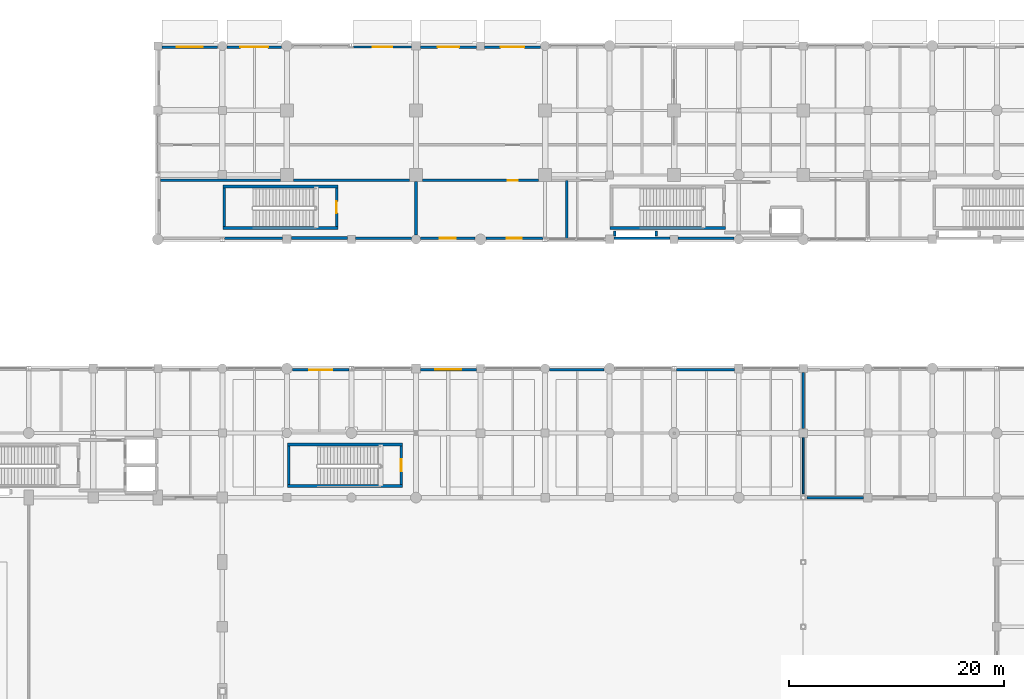
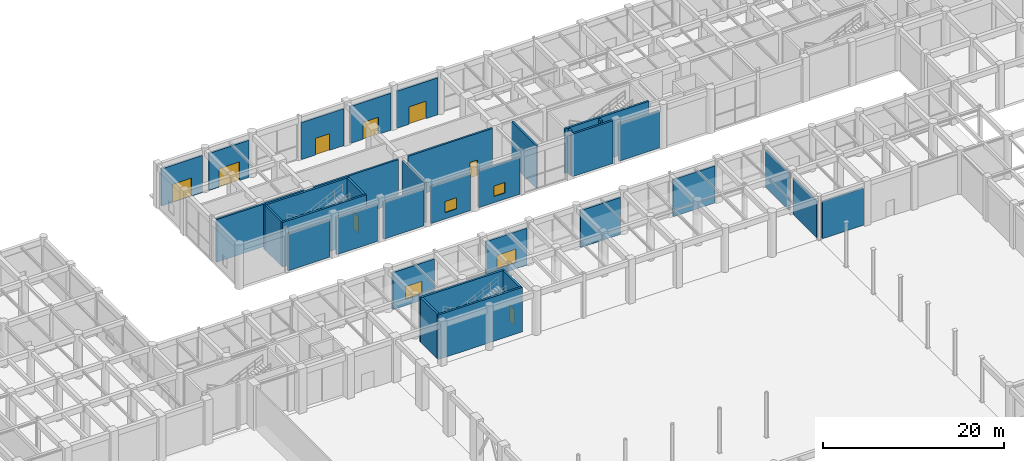
# One storey, part 83 of 106: 35 walls, 8 doors, 4 windows, 12 openings.
"""IFC4 building model written with IfcOpenShell, lengths in metres."""

import ifcopenshell
import ifcopenshell.guid

model = None  # the IFC model being written
_history = None  # IfcOwnerHistory: only IFC2X3 demands one
_inside = {}  # id of a spatial element -> (the spatial element, [elements in it])
_under = {}  # id of a project, library or spatial element -> (it, [spatial elements below it])
_declared = {}  # id of a project -> (the project, [libraries it declares])
_typed = {}  # id of a type object -> (the type object, [elements of that type])
_made_of = {}  # id of a material, layer set ... -> (it, [elements and type objects made of it])


def new_model(schema):
    """Start an empty IFC model of exactly this schema.

    Asked for "IFC4X3", IfcOpenShell would pick the latest addendum, in which some entities
    have other attributes; the version numbers below select the first issue.
    IFC2X3 requires an IfcOwnerHistory on every rooted entity: one is made here for all.
    """
    global model, _history
    if schema == "IFC4X3":
        model = ifcopenshell.file(schema_version=(4, 3, 0, 0))
    else:
        model = ifcopenshell.file(schema=schema)
    _inside.clear()
    _under.clear()
    _declared.clear()
    _typed.clear()
    _made_of.clear()
    _history = None
    if model.schema == "IFC2X3":
        org = make("IfcOrganization", Name="unknown")
        user = make(
            "IfcPersonAndOrganization",
            ThePerson=make("IfcPerson", FamilyName="unknown"),
            TheOrganization=org,
        )
        app = make(
            "IfcApplication",
            ApplicationDeveloper=org,
            Version="unknown",
            ApplicationFullName="unknown",
            ApplicationIdentifier="unknown",
        )
        _history = make(
            "IfcOwnerHistory",
            OwningUser=user,
            OwningApplication=app,
            ChangeAction="ADDED",
            CreationDate=0,
        )
    return model


def make(cls, **values):
    """One entity of the class cls with the attributes given. An attribute that is None is left unset."""
    return model.create_entity(
        cls, **{name: value for name, value in values.items() if value is not None}
    )


def rooted(cls, **values):
    """An entity with a GlobalId (a new one), such as an element, a storey or a relation."""
    return make(cls, GlobalId=ifcopenshell.guid.new(), OwnerHistory=_history, **values)


def si_unit(unit_type, name, prefix=None):
    """IfcSIUnit, for example si_unit("LENGTHUNIT", "METRE", prefix="MILLI")."""
    return make("IfcSIUnit", UnitType=unit_type, Prefix=prefix, Name=name)


def assignment(units):
    """IfcUnitAssignment: the units of a project."""
    return None if units is None else make("IfcUnitAssignment", Units=units)


def point(xyz):
    """IfcCartesianPoint."""
    return None if xyz is None else make("IfcCartesianPoint", Coordinates=xyz)


def direction(xyz):
    """IfcDirection."""
    return None if xyz is None else make("IfcDirection", DirectionRatios=xyz)


def frame(location, z_axis=None, x_axis=None):
    """IfcAxis2Placement3D, a coordinate frame: its origin and axes. An axis left out is left unset."""
    return make(
        "IfcAxis2Placement3D",
        Location=point(location),
        Axis=direction(z_axis),
        RefDirection=direction(x_axis),
    )


def frame_2d(location, x_axis=None):
    """IfcAxis2Placement2D, a coordinate frame in the plane: its origin and x axis."""
    return make(
        "IfcAxis2Placement2D", Location=point(location), RefDirection=direction(x_axis)
    )


def origin():
    """The frame at (0, 0, 0) with its axes left unset."""
    return frame((0.0, 0.0, 0.0))


def place(relative_to, where):
    """IfcLocalPlacement: puts the frame where relative to a parent placement (None: the world)."""
    return make(
        "IfcLocalPlacement", PlacementRelTo=relative_to, RelativePlacement=where
    )


def context(
    kind, dimensions, precision=None, world=None, true_north=None, identifier=None
):
    """IfcGeometricRepresentationContext, for example the 3D "Model" context."""
    return make(
        "IfcGeometricRepresentationContext",
        ContextIdentifier=identifier,
        ContextType=kind,
        CoordinateSpaceDimension=dimensions,
        Precision=precision,
        WorldCoordinateSystem=world,
        TrueNorth=true_north,
    )


def subcontext(parent, identifier, kind, view, scale=None):
    """IfcGeometricRepresentationSubContext, for example "Body" below "Model"."""
    return make(
        "IfcGeometricRepresentationSubContext",
        ContextIdentifier=identifier,
        ContextType=kind,
        ParentContext=parent,
        TargetScale=scale,
        TargetView=view,
    )


def project(units=None, contexts=None):
    """IfcProject with its units and contexts."""
    return rooted(
        "IfcProject",
        Name="project",
        RepresentationContexts=contexts,
        UnitsInContext=assignment(units),
    )


def spatial(cls, under=None, at=None, **own):
    """A site, building, storey or space (cls), placed at a placement, below another one or the project."""
    s = rooted(cls, ObjectPlacement=at, **own)
    if under is not None:
        _under.setdefault(under.id(), (under, []))[1].append(s)
    return s


def profile(cls, at=None, kind="AREA", **sizes):
    """A parametric profile (cls). Its sizes go by their IFC names, for example OverallWidth=200.0."""
    return make(cls, ProfileType=kind, Position=at, **sizes)


def rectangle(**sizes):
    """IfcRectangleProfileDef."""
    return profile("IfcRectangleProfileDef", **sizes)


def extrude(swept, where, along, depth):
    """IfcExtrudedAreaSolid: the profile swept, set in the frame where, extruded along a direction by depth."""
    return make(
        "IfcExtrudedAreaSolid",
        SweptArea=swept,
        Position=where,
        ExtrudedDirection=direction(along),
        Depth=depth,
    )


def shape(context_of_items, identifier, shape_type, items):
    """IfcShapeRepresentation: the items that make up one representation, for example the "Body"."""
    return make(
        "IfcShapeRepresentation",
        ContextOfItems=context_of_items,
        RepresentationIdentifier=identifier,
        RepresentationType=shape_type,
        Items=items,
    )


def material(Name=None, Category=None):
    """IfcMaterial."""
    return make("IfcMaterial", Name=Name, Category=Category)


def layer(
    of_material, thickness, ventilated=None, Name=None, Category=None, Priority=None
):
    """IfcMaterialLayer: one layer of a wall or slab, of a material (None: an air gap)."""
    return make(
        "IfcMaterialLayer",
        Material=of_material,
        LayerThickness=thickness,
        IsVentilated=ventilated,
        Name=Name,
        Category=Category,
        Priority=Priority,
    )


def layer_set(layers, Name=None):
    """IfcMaterialLayerSet."""
    return make("IfcMaterialLayerSet", MaterialLayers=layers, LayerSetName=Name)


def made_of(thing, what):
    """Note that an element or type object is made of a material, layer set ...; save() writes the relation."""
    if what is not None:
        _made_of.setdefault(what.id(), (what, []))[1].append(thing)
    return thing


def type_object(cls, material=None, **own):
    """A type object (cls), such as IfcWallType, which elements share."""
    return made_of(rooted(cls, **own), material)


def element(
    cls,
    number,
    at=None,
    inside=None,
    cuts=None,
    type_object=None,
    material=None,
    context=None,
    identifier="Body",
    shape_type=None,
    held_by="IfcProductDefinitionShape",
    body=None,
    shapes=None,
    **own,
):
    """One element of the class cls, such as IfcWall. Its Tag is "e" and its number.

    at: its placement. inside: the storey or other place that contains it. cuts: it is an
    opening in that element (IfcRelVoidsElement). A single representation is given by context,
    identifier, shape_type and body (its items); several are given by shapes. held_by: the class
    of the entity that holds the representations. save() writes the other relations.
    """
    e = rooted(cls, Tag="e%d" % number, ObjectPlacement=at, **own)
    if body is not None:
        shapes = [shape(context, identifier, shape_type, body)]
    if shapes is not None:
        e.Representation = make(held_by, Representations=shapes)
    if inside is not None:
        _inside.setdefault(inside.id(), (inside, []))[1].append(e)
    if cuts is not None:
        rooted(
            "IfcRelVoidsElement", RelatingBuildingElement=cuts, RelatedOpeningElement=e
        )
    if type_object is not None:
        _typed.setdefault(type_object.id(), (type_object, []))[1].append(e)
    return made_of(e, material)


def fill(opening, filler):
    """IfcRelFillsElement: the door or window that sits in an opening."""
    return rooted(
        "IfcRelFillsElement",
        RelatingOpeningElement=opening,
        RelatedBuildingElement=filler,
    )


def aggregate(whole, parts):
    """IfcRelAggregates: a whole, such as a stair, and the parts it consists of."""
    return rooted("IfcRelAggregates", RelatingObject=whole, RelatedObjects=parts)


def save(model, path):
    """Write the relations noted so far, then the file.

    IfcRelAggregates (storeys below a building ...), IfcRelContainedInSpatialStructure (elements
    in a storey), IfcRelDefinesByType, IfcRelAssociatesMaterial and IfcRelDeclares: one each for
    every whole, place, type object, material and project.
    """
    for whole, parts in _under.values():
        aggregate(whole, parts)
    for where, things in _inside.values():
        rooted(
            "IfcRelContainedInSpatialStructure",
            RelatedElements=things,
            RelatingStructure=where,
        )
    for kind, things in _typed.values():
        rooted("IfcRelDefinesByType", RelatedObjects=things, RelatingType=kind)
    for what, things in _made_of.values():
        rooted("IfcRelAssociatesMaterial", RelatedObjects=things, RelatingMaterial=what)
    for by, libraries in _declared.values():
        rooted("IfcRelDeclares", RelatingContext=by, RelatedDefinitions=libraries)
    model.write(path)


model = new_model("IFC4")

# Units and contexts
model_context = context("Model", 3, precision=1e-05, world=origin(), true_north=direction((0.0, 1.0)))
body_context = subcontext(model_context, "Body", "Model", "MODEL_VIEW")
ifc_project = project(units=[si_unit("LENGTHUNIT", "METRE"), si_unit("AREAUNIT", "SQUARE_METRE"), si_unit("VOLUMEUNIT", "CUBIC_METRE"), si_unit("PLANEANGLEUNIT", "RADIAN"), si_unit("MASSUNIT", "GRAM", prefix="KILO"), si_unit("THERMODYNAMICTEMPERATUREUNIT", "KELVIN"), si_unit("POWERUNIT", "WATT")], contexts=[model_context])

# Site, building, storey
site_placement = place(None, origin())
site = spatial("IfcSite", under=ifc_project, at=site_placement, CompositionType="ELEMENT")
building_placement = place(site_placement, origin())
building = spatial("IfcBuilding", under=site, at=building_placement, Name="Phaisarnlok Congress Hotel", CompositionType="ELEMENT")
storey_placement = place(building_placement, origin())
storey = spatial("IfcBuildingStorey", under=building, at=storey_placement, Name="L00", CompositionType="ELEMENT", Elevation=0.0)

# Wall, opening, door
ifc_material_1 = material(Name="Concrete C40/50", Category="concrete")
ifc_layer_1 = layer(ifc_material_1, 0.2099609375, Name="Concrete C40/50")
ifc_layer_set_1 = layer_set([ifc_layer_1], Name="Concrete C40/50")
wall_type_1 = type_object("IfcWallType", Name="WL-EXT-210", PredefinedType="SOLIDWALL", material=ifc_layer_set_1)
wall_1_placement = place(storey_placement, frame((83.594970703125, 125.89501953125, 0.0), z_axis=(0.0, 0.0, 1.0), x_axis=(-1.0, 0.0, 0.0)))
wall_1 = element("IfcWall", 1, at=wall_1_placement, inside=storey, type_object=wall_type_1, Name="Exterior wall EW-07 (L00)", PredefinedType="SOLIDWALL", context=body_context, shape_type="SweptSolid", body=[
    extrude(rectangle(XDim=5.389404296875, YDim=0.2099609375, at=frame_2d((2.69482421875, 0.0))), origin(), (0.0, 0.0, 1.0), 4.989990234375),
])
opening_1_placement = place(wall_1_placement, frame((1.794921875, 0.0, 0.0)))
opening_1 = element("IfcOpeningElement", 2, at=opening_1_placement, cuts=wall_1, Name="Opening FE-42", PredefinedType="OPENING", context=body_context, shape_type="SweptSolid", body=[
    extrude(rectangle(XDim=1.800048828125, YDim=2.25, at=frame_2d((0.89990234375, 1.125))), frame((0.0, 0.114990234375, 0.0), z_axis=(0.0, -1.0, 0.0), x_axis=(1.0, 0.0, 0.0)), (0.0, 0.0, 1.0), 0.22998046875),
])
ifc_material_2 = material(Name="Powder-Coated Steel & Laminated Safety Glass", Category="steel")
door_type_1 = type_object("IfcDoorType", Name="DR-EXIT-1800", OperationType="DOUBLE_DOOR_SINGLE_SWING", PredefinedType="DOOR", material=ifc_material_2)
door_1_placement = place(opening_1_placement, frame((1.800048828125, 0.0, 0.0), z_axis=(0.0, 0.0, 1.0), x_axis=(-1.0, 0.0, 0.0)))
door_1 = element("IfcDoor", 3, at=door_1_placement, inside=storey, type_object=door_type_1, Name="Ground final exit door FE-42", OperationType="SINGLE_SWING_LEFT", OverallHeight=2.25, OverallWidth=1.800048828125, PredefinedType="DOOR", context=body_context, shape_type="SweptSolid", body=[
    extrude(rectangle(XDim=1.800048828125, YDim=2.25, at=frame_2d((0.89990234375, 1.125))), frame((0.0, 0.02490234375, 0.0), z_axis=(0.0, -1.0, 0.0), x_axis=(1.0, 0.0, 0.0)), (0.0, 0.0, 1.0), 0.050048828125),
])
fill(opening_1, door_1)

# Wall
wall_2_placement = place(storey_placement, frame((66.20556640625, 108.10498046875, 0.0), z_axis=(0.0, 0.0, 1.0), x_axis=(1.0, 0.0, 0.0)))
element("IfcWall", 4, at=wall_2_placement, inside=storey, type_object=wall_type_1, Name="Exterior wall EW-07 (L00)", PredefinedType="SOLIDWALL", context=body_context, shape_type="SweptSolid", body=[
    extrude(rectangle(XDim=5.389404296875, YDim=0.2099609375, at=frame_2d((2.69482421875, 0.0))), origin(), (0.0, 0.0, 1.0), 4.989990234375),
])

# Wall, opening, window
wall_3_placement = place(storey_placement, frame((90.5048828125, 108.10498046875, 0.0), z_axis=(0.0, 0.0, 1.0), x_axis=(1.0, 0.0, 0.0)))
wall_3 = element("IfcWall", 5, at=wall_3_placement, inside=storey, type_object=wall_type_1, Name="Exterior wall EW-07 (L00)", PredefinedType="SOLIDWALL", context=body_context, shape_type="SweptSolid", body=[
    extrude(rectangle(XDim=5.28955078125, YDim=0.2099609375, at=frame_2d((2.644775390625, 0.0))), origin(), (0.0, 0.0, 1.0), 4.989990234375),
])
opening_2_placement = place(wall_3_placement, frame((1.945068359375, 0.0, 0.85009765625)))
opening_2 = element("IfcOpeningElement", 6, at=opening_2_placement, cuts=wall_3, Name="Opening W-13", PredefinedType="OPENING", context=body_context, shape_type="SweptSolid", body=[
    extrude(rectangle(XDim=1.39990234375, YDim=1.39990234375, at=frame_2d((0.699951171875, 0.699951171875))), frame((0.0, 0.114990234375, 0.0), z_axis=(0.0, -1.0, 0.0), x_axis=(1.0, 0.0, 0.0)), (0.0, 0.0, 1.0), 0.22998046875),
])
ifc_material_3 = material(Name="Thermally Broken Aluminium & Low-E Double Glazing", Category="aluminium")
window_type_1 = type_object("IfcWindowType", Name="WIN-POD-1400", PartitioningType="SINGLE_PANEL", PredefinedType="WINDOW", material=ifc_material_3)
window_1_placement = place(opening_2_placement, origin())
window_1 = element("IfcWindow", 7, at=window_1_placement, inside=storey, type_object=window_type_1, Name="Podium window W-13 (L00)", OverallHeight=1.39990234375, OverallWidth=1.39990234375, PartitioningType="SINGLE_PANEL", PredefinedType="WINDOW", context=body_context, shape_type="SweptSolid", body=[
    extrude(rectangle(XDim=1.39990234375, YDim=1.39990234375, at=frame_2d((0.699951171875, 0.699951171875))), frame((0.0, 0.030029296875, 0.0), z_axis=(0.0, -1.0, 0.0), x_axis=(1.0, 0.0, 0.0)), (0.0, 0.0, 1.0), 0.06005859375),
])
fill(opening_2, window_1)

# Wall
wall_4_placement = place(storey_placement, frame((113.594970703125, 95.89501953125, 0.0), z_axis=(0.0, 0.0, 1.0), x_axis=(-1.0, 0.0, 0.0)))
element("IfcWall", 8, at=wall_4_placement, inside=storey, type_object=wall_type_1, Name="Exterior wall EW-07 (L00)", PredefinedType="SOLIDWALL", context=body_context, shape_type="SweptSolid", body=[
    extrude(rectangle(XDim=5.389404296875, YDim=0.2099609375, at=frame_2d((2.69482421875, 0.0))), origin(), (0.0, 0.0, 1.0), 4.989990234375),
])

# Wall, opening, window
wall_5_placement = place(storey_placement, frame((89.6201171875, 95.89501953125, 0.0), z_axis=(0.0, 0.0, 1.0), x_axis=(-1.0, 0.0, 0.0)))
wall_5 = element("IfcWall", 9, at=wall_5_placement, inside=storey, type_object=wall_type_1, Name="Exterior wall EW-07 (L00)", PredefinedType="SOLIDWALL", context=body_context, shape_type="SweptSolid", body=[
    extrude(rectangle(XDim=5.215087890625, YDim=0.2099609375, at=frame_2d((2.607421875, 0.0))), origin(), (0.0, 0.0, 1.0), 4.989990234375),
])
opening_3_placement = place(wall_5_placement, frame((1.407958984375, 0.0, 0.85009765625)))
opening_3 = element("IfcOpeningElement", 10, at=opening_3_placement, cuts=wall_5, Name="Opening W-08", PredefinedType="OPENING", context=body_context, shape_type="SweptSolid", body=[
    extrude(rectangle(XDim=2.39990234375, YDim=1.800048828125, at=frame_2d((1.199951171875, 0.89990234375))), frame((0.0, 0.114990234375, 0.0), z_axis=(0.0, -1.0, 0.0), x_axis=(1.0, 0.0, 0.0)), (0.0, 0.0, 1.0), 0.22998046875),
])
window_type_2 = type_object("IfcWindowType", Name="WIN-POD-2400", PartitioningType="SINGLE_PANEL", PredefinedType="WINDOW", material=ifc_material_3)
window_2_placement = place(opening_3_placement, origin())
window_2 = element("IfcWindow", 11, at=window_2_placement, inside=storey, type_object=window_type_2, Name="Podium window W-08 (L00)", OverallHeight=1.800048828125, OverallWidth=2.39990234375, PartitioningType="SINGLE_PANEL", PredefinedType="WINDOW", context=body_context, shape_type="SweptSolid", body=[
    extrude(rectangle(XDim=2.39990234375, YDim=1.800048828125, at=frame_2d((1.199951171875, 0.89990234375))), frame((0.0, 0.030029296875, 0.0), z_axis=(0.0, -1.0, 0.0), x_axis=(1.0, 0.0, 0.0)), (0.0, 0.0, 1.0), 0.06005859375),
])
fill(opening_3, window_2)

# Wall, opening, door
ifc_layer_2 = layer(ifc_material_1, 0.22998046875, Name="Concrete C40/50")
ifc_layer_set_2 = layer_set([ifc_layer_2], Name="Concrete C40/50")
wall_type_2 = type_object("IfcWallType", Name="WL-EXT-230", PredefinedType="SOLIDWALL", material=ifc_layer_set_2)
wall_6_placement = place(storey_placement, frame((89.6201171875, 125.885009765625, 0.0), z_axis=(0.0, 0.0, 1.0), x_axis=(-1.0, 0.0, 0.0)))
wall_6 = element("IfcWall", 12, at=wall_6_placement, inside=storey, type_object=wall_type_2, Name="Exterior wall EW-06 (L00)", PredefinedType="SOLIDWALL", context=body_context, shape_type="SweptSolid", body=[
    extrude(rectangle(XDim=5.215087890625, YDim=0.22998046875, at=frame_2d((2.607421875, 0.0))), origin(), (0.0, 0.0, 1.0), 4.989990234375),
])
opening_4_placement = place(wall_6_placement, frame((1.60791015625, 0.0, 0.0)))
opening_4 = element("IfcOpeningElement", 13, at=opening_4_placement, cuts=wall_6, Name="Opening FE-41", PredefinedType="OPENING", context=body_context, shape_type="SweptSolid", body=[
    extrude(rectangle(XDim=2.0, YDim=2.300048828125, at=frame_2d((1.0, 1.14990234375))), frame((0.0, 0.125, 0.0), z_axis=(0.0, -1.0, 0.0), x_axis=(1.0, 0.0, 0.0)), (0.0, 0.0, 1.0), 0.25),
])
door_type_2 = type_object("IfcDoorType", Name="DR-EXIT-2000", OperationType="DOUBLE_DOOR_SINGLE_SWING", PredefinedType="DOOR", material=ifc_material_2)
door_2_placement = place(opening_4_placement, frame((2.0, 0.0, 0.0), z_axis=(0.0, 0.0, 1.0), x_axis=(-1.0, 0.0, 0.0)))
door_2 = element("IfcDoor", 14, at=door_2_placement, inside=storey, type_object=door_type_2, Name="Ground final exit door FE-41", OperationType="SINGLE_SWING_LEFT", OverallHeight=2.300048828125, OverallWidth=2.0, PredefinedType="DOOR", context=body_context, shape_type="SweptSolid", body=[
    extrude(rectangle(XDim=2.0, YDim=2.300048828125, at=frame_2d((1.0, 1.14990234375))), frame((0.0, 0.02490234375, 0.0), z_axis=(0.0, -1.0, 0.0), x_axis=(1.0, 0.0, 0.0)), (0.0, 0.0, 1.0), 0.050048828125),
])
fill(opening_4, door_2)

wall_7_placement = place(storey_placement, frame((65.570068359375, 125.885009765625, 0.0), z_axis=(0.0, 0.0, 1.0), x_axis=(-1.0, 0.0, 0.0)))
wall_7 = element("IfcWall", 15, at=wall_7_placement, inside=storey, type_object=wall_type_2, Name="Exterior wall EW-06 (L00)", PredefinedType="SOLIDWALL", context=body_context, shape_type="SweptSolid", body=[
    extrude(rectangle(XDim=5.190185546875, YDim=0.22998046875, at=frame_2d((2.59521484375, 0.0))), origin(), (0.0, 0.0, 1.0), 5.010009765625),
])
opening_5_placement = place(wall_7_placement, frame((1.39501953125, 0.0, 0.0)))
opening_5 = element("IfcOpeningElement", 16, at=opening_5_placement, cuts=wall_7, Name="Opening FE-44", PredefinedType="OPENING", context=body_context, shape_type="SweptSolid", body=[
    extrude(rectangle(XDim=2.39990234375, YDim=2.449951171875, at=frame_2d((1.199951171875, 1.22509765625))), frame((0.0, 0.125, 0.0), z_axis=(0.0, -1.0, 0.0), x_axis=(1.0, 0.0, 0.0)), (0.0, 0.0, 1.0), 0.25),
])
door_type_3 = type_object("IfcDoorType", Name="DR-ENTR-2400", OperationType="DOUBLE_DOOR_SLIDING", PredefinedType="DOOR", material=ifc_material_2)
door_3_placement = place(opening_5_placement, frame((2.39990234375, 0.0, 0.0), z_axis=(0.0, 0.0, 1.0), x_axis=(-1.0, 0.0, 0.0)))
door_3 = element("IfcDoor", 17, at=door_3_placement, inside=storey, type_object=door_type_3, Name="Ground final exit door FE-44", OperationType="SINGLE_SWING_LEFT", OverallHeight=2.449951171875, OverallWidth=2.39990234375, PredefinedType="DOOR", context=body_context, shape_type="SweptSolid", body=[
    extrude(rectangle(XDim=2.39990234375, YDim=2.449951171875, at=frame_2d((1.199951171875, 1.22509765625))), frame((0.0, 0.02490234375, 0.0), z_axis=(0.0, -1.0, 0.0), x_axis=(1.0, 0.0, 0.0)), (0.0, 0.0, 1.0), 0.050048828125),
])
fill(opening_5, door_3)

# Wall, opening, window
wall_8_placement = place(storey_placement, frame((84.429931640625, 108.114990234375, 0.0), z_axis=(0.0, 0.0, 1.0), x_axis=(1.0, 0.0, 0.0)))
wall_8 = element("IfcWall", 18, at=wall_8_placement, inside=storey, type_object=wall_type_2, Name="Exterior wall EW-06 (L00)", PredefinedType="SOLIDWALL", context=body_context, shape_type="SweptSolid", body=[
    extrude(rectangle(XDim=5.065185546875, YDim=0.22998046875, at=frame_2d((2.53271484375, 0.0))), origin(), (0.0, 0.0, 1.0), 4.989990234375),
])
opening_6_placement = place(wall_8_placement, frame((1.781982421875, 0.0, 0.85009765625)))
opening_6 = element("IfcOpeningElement", 19, at=opening_6_placement, cuts=wall_8, Name="Opening W-12", PredefinedType="OPENING", context=body_context, shape_type="SweptSolid", body=[
    extrude(rectangle(XDim=1.5, YDim=1.5, at=frame_2d((0.75, 0.75))), frame((0.0, 0.125, 0.0), z_axis=(0.0, -1.0, 0.0), x_axis=(1.0, 0.0, 0.0)), (0.0, 0.0, 1.0), 0.25),
])
window_type_3 = type_object("IfcWindowType", Name="WIN-POD-1500", PartitioningType="SINGLE_PANEL", PredefinedType="WINDOW", material=ifc_material_3)
window_3_placement = place(opening_6_placement, origin())
window_3 = element("IfcWindow", 20, at=window_3_placement, inside=storey, type_object=window_type_3, Name="Podium window W-12 (L00)", OverallHeight=1.5, OverallWidth=1.5, PartitioningType="SINGLE_PANEL", PredefinedType="WINDOW", context=body_context, shape_type="SweptSolid", body=[
    extrude(rectangle(XDim=1.5, YDim=1.5, at=frame_2d((0.75, 0.75))), frame((0.0, 0.030029296875, 0.0), z_axis=(0.0, -1.0, 0.0), x_axis=(1.0, 0.0, 0.0)), (0.0, 0.0, 1.0), 0.06005859375),
])
fill(opening_6, window_3)

# Wall
wall_9_placement = place(storey_placement, frame((108.3798828125, 108.114990234375, 0.0), z_axis=(0.0, 0.0, 1.0), x_axis=(1.0, 0.0, 0.0)))
element("IfcWall", 21, at=wall_9_placement, inside=storey, type_object=wall_type_2, Name="Exterior wall EW-06 (L00)", PredefinedType="SOLIDWALL", context=body_context, shape_type="SweptSolid", body=[
    extrude(rectangle(XDim=5.190185546875, YDim=0.22998046875, at=frame_2d((2.59521484375, 0.0))), origin(), (0.0, 0.0, 1.0), 4.989990234375),
])

# Wall, opening, door
ifc_layer_3 = layer(ifc_material_1, 0.25, Name="Concrete C40/50")
ifc_layer_set_3 = layer_set([ifc_layer_3], Name="Concrete C40/50")
wall_type_3 = type_object("IfcWallType", Name="WL-EXT-250", PredefinedType="SOLIDWALL", material=ifc_layer_set_3)
wall_10_placement = place(storey_placement, frame((95.570068359375, 125.875, 0.0), z_axis=(0.0, 0.0, 1.0), x_axis=(-1.0, 0.0, 0.0)))
wall_10 = element("IfcWall", 22, at=wall_10_placement, inside=storey, type_object=wall_type_3, Name="Exterior wall EW-05 (L00)", PredefinedType="SOLIDWALL", context=body_context, shape_type="SweptSolid", body=[
    extrude(rectangle(XDim=5.190185546875, YDim=0.25, at=frame_2d((2.59521484375, 0.0))), origin(), (0.0, 0.0, 1.0), 4.989990234375),
])
opening_7_placement = place(wall_10_placement, frame((1.4951171875, 0.0, 0.0)))
opening_7 = element("IfcOpeningElement", 23, at=opening_7_placement, cuts=wall_10, Name="Opening FE-40", PredefinedType="OPENING", context=body_context, shape_type="SweptSolid", body=[
    extrude(rectangle(XDim=2.199951171875, YDim=2.35009765625, at=frame_2d((1.10009765625, 1.175048828125))), frame((0.0, 0.135009765625, 0.0), z_axis=(0.0, -1.0, 0.0), x_axis=(1.0, 0.0, 0.0)), (0.0, 0.0, 1.0), 0.27001953125),
])
door_type_4 = type_object("IfcDoorType", Name="DR-EXIT-2200", OperationType="DOUBLE_DOOR_SINGLE_SWING", PredefinedType="DOOR", material=ifc_material_2)
door_4_placement = place(opening_7_placement, frame((2.199951171875, 0.0, 0.0), z_axis=(0.0, 0.0, 1.0), x_axis=(-1.0, 0.0, 0.0)))
door_4 = element("IfcDoor", 24, at=door_4_placement, inside=storey, type_object=door_type_4, Name="Ground final exit door FE-40", OperationType="SINGLE_SWING_LEFT", OverallHeight=2.35009765625, OverallWidth=2.199951171875, PredefinedType="DOOR", context=body_context, shape_type="SweptSolid", body=[
    extrude(rectangle(XDim=2.199951171875, YDim=2.35009765625, at=frame_2d((1.10009765625, 1.175048828125))), frame((0.0, 0.02490234375, 0.0), z_axis=(0.0, -1.0, 0.0), x_axis=(1.0, 0.0, 0.0)), (0.0, 0.0, 1.0), 0.050048828125),
])
fill(opening_7, door_4)

wall_11_placement = place(storey_placement, frame((71.4951171875, 125.875, 0.0), z_axis=(0.0, 0.0, 1.0), x_axis=(-1.0, 0.0, 0.0)))
wall_11 = element("IfcWall", 25, at=wall_11_placement, inside=storey, type_object=wall_type_3, Name="Exterior wall EW-05 (L00)", PredefinedType="SOLIDWALL", context=body_context, shape_type="SweptSolid", body=[
    extrude(rectangle(XDim=5.065185546875, YDim=0.25, at=frame_2d((2.53271484375, 0.0))), origin(), (0.0, 0.0, 1.0), 4.989990234375),
])
opening_8_placement = place(wall_11_placement, frame((1.23193359375, 0.0, 0.0)))
opening_8 = element("IfcOpeningElement", 26, at=opening_8_placement, cuts=wall_11, Name="Opening FE-43", PredefinedType="OPENING", context=body_context, shape_type="SweptSolid", body=[
    extrude(rectangle(XDim=2.60009765625, YDim=2.5, at=frame_2d((1.300048828125, 1.25))), frame((0.0, 0.135009765625, 0.0), z_axis=(0.0, -1.0, 0.0), x_axis=(1.0, 0.0, 0.0)), (0.0, 0.0, 1.0), 0.27001953125),
])
door_type_5 = type_object("IfcDoorType", Name="DR-ENTR-2600", OperationType="DOUBLE_DOOR_SLIDING", PredefinedType="DOOR", material=ifc_material_2)
door_5_placement = place(opening_8_placement, frame((2.60009765625, 0.0, 0.0), z_axis=(0.0, 0.0, 1.0), x_axis=(-1.0, 0.0, 0.0)))
door_5 = element("IfcDoor", 27, at=door_5_placement, inside=storey, type_object=door_type_5, Name="Ground final exit door FE-43", OperationType="SINGLE_SWING_LEFT", OverallHeight=2.5, OverallWidth=2.60009765625, PredefinedType="DOOR", context=body_context, shape_type="SweptSolid", body=[
    extrude(rectangle(XDim=2.60009765625, YDim=2.5, at=frame_2d((1.300048828125, 1.25))), frame((0.0, 0.02490234375, 0.0), z_axis=(0.0, -1.0, 0.0), x_axis=(1.0, 0.0, 0.0)), (0.0, 0.0, 1.0), 0.050048828125),
])
fill(opening_8, door_5)

# Walls
wall_12_placement = place(storey_placement, frame((78.3798828125, 108.125, 0.0), z_axis=(0.0, 0.0, 1.0), x_axis=(1.0, 0.0, 0.0)))
element("IfcWall", 28, at=wall_12_placement, inside=storey, type_object=wall_type_3, Name="Exterior wall EW-05 (L00)", PredefinedType="SOLIDWALL", context=body_context, shape_type="SweptSolid", body=[
    extrude(rectangle(XDim=5.190185546875, YDim=0.25, at=frame_2d((2.59521484375, 0.0))), origin(), (0.0, 0.0, 1.0), 4.989990234375),
])
wall_13_placement = place(storey_placement, frame((102.405029296875, 108.125, 0.0), z_axis=(0.0, 0.0, 1.0), x_axis=(1.0, 0.0, 0.0)))
element("IfcWall", 29, at=wall_13_placement, inside=storey, type_object=wall_type_3, Name="Exterior wall EW-05 (L00)", PredefinedType="SOLIDWALL", context=body_context, shape_type="SweptSolid", body=[
    extrude(rectangle(XDim=5.215087890625, YDim=0.25, at=frame_2d((2.607421875, 0.0))), origin(), (0.0, 0.0, 1.0), 5.739990234375),
])
wall_14_placement = place(storey_placement, frame((101.4951171875, 95.875, 0.0), z_axis=(0.0, 0.0, 1.0), x_axis=(-1.0, 0.0, 0.0)))
element("IfcWall", 30, at=wall_14_placement, inside=storey, type_object=wall_type_3, Name="Exterior wall EW-05 (L00)", PredefinedType="SOLIDWALL", context=body_context, shape_type="SweptSolid", body=[
    extrude(rectangle(XDim=5.065185546875, YDim=0.25, at=frame_2d((2.53271484375, 0.0))), origin(), (0.0, 0.0, 1.0), 4.989990234375),
])

# Wall, opening, window
wall_15_placement = place(storey_placement, frame((77.79443359375, 95.875, 0.0), z_axis=(0.0, 0.0, 1.0), x_axis=(-1.0, 0.0, 0.0)))
wall_15 = element("IfcWall", 31, at=wall_15_placement, inside=storey, type_object=wall_type_3, Name="Exterior wall EW-05 (L00)", PredefinedType="SOLIDWALL", context=body_context, shape_type="SweptSolid", body=[
    extrude(rectangle(XDim=5.28955078125, YDim=0.25, at=frame_2d((2.644775390625, 0.0))), origin(), (0.0, 0.0, 1.0), 4.989990234375),
])
opening_9_placement = place(wall_15_placement, frame((1.594970703125, 0.0, 0.85009765625)))
opening_9 = element("IfcOpeningElement", 32, at=opening_9_placement, cuts=wall_15, Name="Opening W-09", PredefinedType="OPENING", context=body_context, shape_type="SweptSolid", body=[
    extrude(rectangle(XDim=2.10009765625, YDim=1.699951171875, at=frame_2d((1.050048828125, 0.85009765625))), frame((0.0, 0.135009765625, 0.0), z_axis=(0.0, -1.0, 0.0), x_axis=(1.0, 0.0, 0.0)), (0.0, 0.0, 1.0), 0.27001953125),
])
window_type_4 = type_object("IfcWindowType", Name="WIN-POD-2100", PartitioningType="SINGLE_PANEL", PredefinedType="WINDOW", material=ifc_material_3)
window_4_placement = place(opening_9_placement, origin())
window_4 = element("IfcWindow", 33, at=window_4_placement, inside=storey, type_object=window_type_4, Name="Podium window W-09 (L00)", OverallHeight=1.699951171875, OverallWidth=2.10009765625, PartitioningType="SINGLE_PANEL", PredefinedType="WINDOW", context=body_context, shape_type="SweptSolid", body=[
    extrude(rectangle(XDim=2.10009765625, YDim=1.699951171875, at=frame_2d((1.050048828125, 0.85009765625))), frame((0.0, 0.030029296875, 0.0), z_axis=(0.0, -1.0, 0.0), x_axis=(1.0, 0.0, 0.0)), (0.0, 0.0, 1.0), 0.06005859375),
])
fill(opening_9, window_4)

# Walls
ifc_layer_4 = layer(ifc_material_1, 0.27001953125, Name="Concrete C40/50")
ifc_layer_set_4 = layer_set([ifc_layer_4], Name="Concrete C40/50")
wall_type_4 = type_object("IfcWallType", Name="WL-EXT-270", PredefinedType="SOLIDWALL", material=ifc_layer_set_4)
wall_16_placement = place(storey_placement, frame((72.405029296875, 108.135009765625, 0.0), z_axis=(0.0, 0.0, 1.0), x_axis=(1.0, 0.0, 0.0)))
element("IfcWall", 34, at=wall_16_placement, inside=storey, type_object=wall_type_4, Name="Exterior wall EW-04 (L00)", PredefinedType="SOLIDWALL", context=body_context, shape_type="SweptSolid", body=[
    extrude(rectangle(XDim=5.215087890625, YDim=0.27001953125, at=frame_2d((2.607421875, 0.0))), origin(), (0.0, 0.0, 1.0), 4.989990234375),
])
ifc_material_4 = material(Name="Acoustic Gypsum Board & Mineral Wool", Category="gypsum")
ifc_layer_5 = layer(ifc_material_4, 0.14990234375, Name="Acoustic Gypsum Board & Mineral Wool")
ifc_layer_set_5 = layer_set([ifc_layer_5], Name="Acoustic Gypsum Board & Mineral Wool")
wall_type_5 = type_object("IfcWallType", Name="WL-INT-150", PredefinedType="PARTITIONING", material=ifc_layer_set_5)
wall_17_placement = place(storey_placement, frame((120.0, 84.3701171875, 0.0), z_axis=(0.0, 0.0, 1.0), x_axis=(0.0, 1.0, 0.0)))
element("IfcWall", 35, at=wall_17_placement, inside=storey, type_object=wall_type_5, Name="Interior partition wall IW-05 (L00)", PredefinedType="PARTITIONING", context=body_context, shape_type="SweptSolid", body=[
    extrude(rectangle(XDim=5.224853515625, YDim=0.14990234375, at=frame_2d((2.6123046875, 0.0))), origin(), (0.0, 0.0, 1.0), 4.93994140625),
])
ifc_material_5 = material(Name="Autoclaved Aerated Concrete Block", Category="concrete")
ifc_layer_6 = layer(ifc_material_5, 0.199951171875, Name="Autoclaved Aerated Concrete Block")
ifc_layer_set_6 = layer_set([ifc_layer_6], Name="Autoclaved Aerated Concrete Block")
wall_type_6 = type_object("IfcWallType", Name="WL-INT-200", PredefinedType="PARTITIONING", material=ifc_layer_set_6)
wall_18_placement = place(storey_placement, frame((120.0, 90.405029296875, 0.0), z_axis=(0.0, 0.0, 1.0), x_axis=(0.0, 1.0, 0.0)))
element("IfcWall", 36, at=wall_18_placement, inside=storey, type_object=wall_type_6, Name="Interior partition wall IW-02 (L00)", PredefinedType="PARTITIONING", context=body_context, shape_type="SweptSolid", body=[
    extrude(rectangle(XDim=5.215087890625, YDim=0.199951171875, at=frame_2d((2.607421875, 0.0))), origin(), (0.0, 0.0, 1.0), 5.0400390625),
])
ifc_layer_7 = layer(ifc_material_1, 0.239990234375, Name="Concrete C40/50")
ifc_layer_set_7 = layer_set([ifc_layer_7], Name="Concrete C40/50")
wall_type_7 = type_object("IfcWallType", Name="WL-INT-240", PredefinedType="PARTITIONING", material=ifc_layer_set_7)
wall_19_placement = place(storey_placement, frame((84.0, 108.429931640625, 0.0), z_axis=(0.0, 0.0, 1.0), x_axis=(0.0, 1.0, 0.0)))
element("IfcWall", 37, at=wall_19_placement, inside=storey, type_object=wall_type_7, Name="Interior partition wall IW-01 (L00)", PredefinedType="PARTITIONING", context=body_context, shape_type="SweptSolid", body=[
    extrude(rectangle(XDim=4.965087890625, YDim=0.239990234375, at=frame_2d((2.482421875, 0.0))), origin(), (0.0, 0.0, 1.0), 5.39990234375),
])
wall_20_placement = place(storey_placement, frame((98.0, 108.044921875, 0.0), z_axis=(0.0, 0.0, 1.0), x_axis=(0.0, 1.0, 0.0)))
element("IfcWall", 38, at=wall_20_placement, inside=storey, type_object=wall_type_7, Name="Interior partition wall IW-01 (L00)", PredefinedType="PARTITIONING", context=body_context, shape_type="SweptSolid", body=[
    extrude(rectangle(XDim=5.455078125, YDim=0.239990234375, at=frame_2d((2.7275390625, 0.0))), origin(), (0.0, 0.0, 1.0), 5.739990234375),
])
wall_21_placement = place(storey_placement, frame((120.3701171875, 84.0, 0.0), z_axis=(0.0, 0.0, 1.0), x_axis=(1.0, 0.0, 0.0)))
element("IfcWall", 39, at=wall_21_placement, inside=storey, type_object=wall_type_7, Name="Interior partition wall IW-01 (L00)", PredefinedType="PARTITIONING", context=body_context, shape_type="SweptSolid", body=[
    extrude(rectangle(XDim=5.224853515625, YDim=0.239990234375, at=frame_2d((2.6123046875, 0.0))), origin(), (0.0, 0.0, 1.0), 4.989990234375),
])
wall_22_placement = place(storey_placement, frame((60.2548828125, 113.5, 0.0), z_axis=(0.0, 0.0, 1.0), x_axis=(1.0, 0.0, 0.0)))
element("IfcWall", 40, at=wall_22_placement, inside=storey, type_object=wall_type_7, Name="Interior partition wall IW-01 (L00)", PredefinedType="PARTITIONING", context=body_context, shape_type="SweptSolid", body=[
    extrude(rectangle(XDim=11.14013671875, YDim=0.239990234375, at=frame_2d((5.570068359375, 0.0))), origin(), (0.0, 0.0, 1.0), 5.739990234375),
])
wall_23_placement = place(storey_placement, frame((72.60498046875, 113.5, 0.0), z_axis=(0.0, 0.0, 1.0), x_axis=(1.0, 0.0, 0.0)))
element("IfcWall", 41, at=wall_23_placement, inside=storey, type_object=wall_type_7, Name="Interior partition wall IW-01 (L00)", PredefinedType="PARTITIONING", context=body_context, shape_type="SweptSolid", body=[
    extrude(rectangle(XDim=10.7900390625, YDim=0.239990234375, at=frame_2d((5.39501953125, 0.0))), origin(), (0.0, 0.0, 1.0), 5.739990234375),
])

# Wall, opening, door
wall_24_placement = place(storey_placement, frame((84.60498046875, 113.5, 0.0), z_axis=(0.0, 0.0, 1.0), x_axis=(1.0, 0.0, 0.0)))
wall_24 = element("IfcWall", 42, at=wall_24_placement, inside=storey, type_object=wall_type_7, Name="Interior partition wall IW-01 (L00)", PredefinedType="PARTITIONING", context=body_context, shape_type="SweptSolid", body=[
    extrude(rectangle(XDim=10.7900390625, YDim=0.239990234375, at=frame_2d((5.39501953125, 0.0))), origin(), (0.0, 0.0, 1.0), 5.739990234375),
])
opening_10_placement = place(wall_24_placement, frame((7.9150390625, 0.0, 0.0)))
opening_10 = element("IfcOpeningElement", 43, at=opening_10_placement, cuts=wall_24, Name="Opening D-0046", PredefinedType="OPENING", context=body_context, shape_type="SweptSolid", body=[
    extrude(rectangle(XDim=0.9599609375, YDim=2.14990234375, at=frame_2d((0.47998046875, 1.074951171875))), frame((0.0, 0.1298828125, 0.0), z_axis=(0.0, -1.0, 0.0), x_axis=(1.0, 0.0, 0.0)), (0.0, 0.0, 1.0), 0.260009765625),
])
ifc_material_6 = material(Name="Fire-Rated Steel Frame & Timber Leaf", Category="steel")
door_type_6 = type_object("IfcDoorType", Name="DR-FD60-950", OperationType="NOTDEFINED", PredefinedType="DOOR", material=ifc_material_6)
door_6_placement = place(opening_10_placement, origin())
door_6 = element("IfcDoor", 44, at=door_6_placement, inside=storey, type_object=door_type_6, Name="Interior door D-0046 (L00)", OperationType="SINGLE_SWING_RIGHT", OverallHeight=2.14990234375, OverallWidth=0.9599609375, PredefinedType="DOOR", context=body_context, shape_type="SweptSolid", body=[
    extrude(rectangle(XDim=0.9599609375, YDim=2.14990234375, at=frame_2d((0.47998046875, 1.074951171875))), frame((0.0, 0.02490234375, 0.0), z_axis=(0.0, -1.0, 0.0), x_axis=(1.0, 0.0, 0.0)), (0.0, 0.0, 1.0), 0.050048828125),
])
fill(opening_10, door_6)

# Walls
ifc_material_7 = material(Name="Concrete C50/60", Category="concrete")
ifc_layer_8 = layer(ifc_material_7, 0.260009765625, Name="Concrete C50/60")
ifc_layer_set_8 = layer_set([ifc_layer_8], Name="Concrete C50/60")
wall_type_8 = type_object("IfcWallType", Name="WL-SHR-260", PredefinedType="SHEAR", material=ifc_layer_set_8)
wall_25_placement = place(storey_placement, frame((102.0400390625, 109.070068359375, 0.0), z_axis=(0.0, 0.0, 1.0), x_axis=(1.0, 0.0, 0.0)))
element("IfcWall", 45, at=wall_25_placement, inside=storey, type_object=wall_type_8, Name="Stair shaft shear wall SW-04 (CORE-4 L00)", PredefinedType="SHEAR", context=body_context, shape_type="SweptSolid", body=[
    extrude(rectangle(XDim=10.719970703125, YDim=0.260009765625, at=frame_2d((5.35986328125, 0.0))), origin(), (0.0, 0.0, 1.0), 6.0),
])
for number, where, z_axis, x_axis, name in (
    (46, (102.469970703125, 108.330078125, 0.0), (0.0, 0.0, 1.0), (0.0, 1.0, 0.0), "Service riser shaft wall SW-04 (CORE-4 L00)"),
    (47, (106.330078125, 108.330078125, 0.0), (0.0, 0.0, 1.0), (0.0, 1.0, 0.0), "Service riser shaft wall SW-04 (CORE-4 L00)"),
):
    element("IfcWall", number, at=place(storey_placement, frame(where, z_axis=z_axis, x_axis=x_axis)), inside=storey, type_object=wall_type_8, Name=name, PredefinedType="SHEAR", context=body_context, shape_type="SweptSolid", body=[
        extrude(rectangle(XDim=0.43994140625, YDim=0.260009765625, at=frame_2d((0.219970703125, 0.0))), origin(), (0.0, 0.0, 1.0), 6.0),
    ])
for number, where, z_axis, x_axis, name in (
    (48, (66.0400390625, 109.070068359375, 0.0), (0.0, 0.0, 1.0), (1.0, 0.0, 0.0), "Stair shaft shear wall SW-04 (STAIR-HW L00)"),
    (49, (66.0400390625, 112.929931640625, 0.0), (0.0, 0.0, 1.0), (1.0, 0.0, 0.0), "Stair shaft shear wall SW-04 (STAIR-HW L00)"),
):
    element("IfcWall", number, at=place(storey_placement, frame(where, z_axis=z_axis, x_axis=x_axis)), inside=storey, type_object=wall_type_8, Name=name, PredefinedType="SHEAR", context=body_context, shape_type="SweptSolid", body=[
        extrude(rectangle(XDim=10.719970703125, YDim=0.260009765625, at=frame_2d((5.35986328125, 0.0))), origin(), (0.0, 0.0, 1.0), 6.0),
    ])
wall_26_placement = place(storey_placement, frame((66.169921875, 109.199951171875, 0.0), z_axis=(0.0, 0.0, 1.0), x_axis=(0.0, 1.0, 0.0)))
element("IfcWall", 50, at=wall_26_placement, inside=storey, type_object=wall_type_8, Name="Stair shaft shear wall SW-04 (STAIR-HW L00)", PredefinedType="SHEAR", context=body_context, shape_type="SweptSolid", body=[
    extrude(rectangle(XDim=3.60009765625, YDim=0.260009765625, at=frame_2d((1.800048828125, 0.0))), origin(), (0.0, 0.0, 1.0), 6.0),
])

# Wall, opening, door
wall_27_placement = place(storey_placement, frame((76.6298828125, 109.199951171875, 0.0), z_axis=(0.0, 0.0, 1.0), x_axis=(0.0, 1.0, 0.0)))
wall_27 = element("IfcWall", 51, at=wall_27_placement, inside=storey, type_object=wall_type_8, Name="Stair shaft shear wall SW-04 (STAIR-HW L00)", PredefinedType="SHEAR", context=body_context, shape_type="SweptSolid", body=[
    extrude(rectangle(XDim=3.60009765625, YDim=0.260009765625, at=frame_2d((1.800048828125, 0.0))), origin(), (0.0, 0.0, 1.0), 6.0),
])
opening_11_placement = place(wall_27_placement, frame((1.25, 0.0, 0.0)))
opening_11 = element("IfcOpeningElement", 52, at=opening_11_placement, cuts=wall_27, Name="Opening FD-146", PredefinedType="OPENING", context=body_context, shape_type="SweptSolid", body=[
    extrude(rectangle(XDim=1.10009765625, YDim=2.14990234375, at=frame_2d((0.550048828125, 1.074951171875))), frame((0.0, 0.14013671875, 0.0), z_axis=(0.0, -1.0, 0.0), x_axis=(1.0, 0.0, 0.0)), (0.0, 0.0, 1.0), 0.280029296875),
])
door_type_7 = type_object("IfcDoorType", Name="DR-FD60-1100", OperationType="NOTDEFINED", PredefinedType="DOOR", material=ifc_material_6)
door_7_placement = place(opening_11_placement, origin())
door_7 = element("IfcDoor", 53, at=door_7_placement, inside=storey, type_object=door_type_7, Name="Stair enclosure fire door FD-146 (L00)", OperationType="SINGLE_SWING_LEFT", OverallHeight=2.14990234375, OverallWidth=1.10009765625, PredefinedType="DOOR", context=body_context, shape_type="SweptSolid", body=[
    extrude(rectangle(XDim=1.10009765625, YDim=2.14990234375, at=frame_2d((0.550048828125, 1.074951171875))), frame((0.0, 0.02490234375, 0.0), z_axis=(0.0, -1.0, 0.0), x_axis=(1.0, 0.0, 0.0)), (0.0, 0.0, 1.0), 0.050048828125),
])
fill(opening_11, door_7)

# Walls
for number, where, z_axis, x_axis, name in (
    (54, (72.0400390625, 85.070068359375, 0.0), (0.0, 0.0, 1.0), (1.0, 0.0, 0.0), "Stair shaft shear wall SW-04 (STAIR-POD-C L00)"),
    (55, (72.0400390625, 88.929931640625, 0.0), (0.0, 0.0, 1.0), (1.0, 0.0, 0.0), "Stair shaft shear wall SW-04 (STAIR-POD-C L00)"),
):
    element("IfcWall", number, at=place(storey_placement, frame(where, z_axis=z_axis, x_axis=x_axis)), inside=storey, type_object=wall_type_8, Name=name, PredefinedType="SHEAR", context=body_context, shape_type="SweptSolid", body=[
        extrude(rectangle(XDim=10.719970703125, YDim=0.260009765625, at=frame_2d((5.35986328125, 0.0))), origin(), (0.0, 0.0, 1.0), 6.0),
    ])
wall_28_placement = place(storey_placement, frame((72.169921875, 85.199951171875, 0.0), z_axis=(0.0, 0.0, 1.0), x_axis=(0.0, 1.0, 0.0)))
element("IfcWall", 56, at=wall_28_placement, inside=storey, type_object=wall_type_8, Name="Stair shaft shear wall SW-04 (STAIR-POD-C L00)", PredefinedType="SHEAR", context=body_context, shape_type="SweptSolid", body=[
    extrude(rectangle(XDim=3.60009765625, YDim=0.260009765625, at=frame_2d((1.800048828125, 0.0))), origin(), (0.0, 0.0, 1.0), 6.0),
])

# Wall, opening, door
wall_29_placement = place(storey_placement, frame((82.6298828125, 85.199951171875, 0.0), z_axis=(0.0, 0.0, 1.0), x_axis=(0.0, 1.0, 0.0)))
wall_29 = element("IfcWall", 57, at=wall_29_placement, inside=storey, type_object=wall_type_8, Name="Stair shaft shear wall SW-04 (STAIR-POD-C L00)", PredefinedType="SHEAR", context=body_context, shape_type="SweptSolid", body=[
    extrude(rectangle(XDim=3.60009765625, YDim=0.260009765625, at=frame_2d((1.800048828125, 0.0))), origin(), (0.0, 0.0, 1.0), 6.0),
])
opening_12_placement = place(wall_29_placement, frame((1.25, 0.0, 0.0)))
opening_12 = element("IfcOpeningElement", 58, at=opening_12_placement, cuts=wall_29, Name="Opening FD-160", PredefinedType="OPENING", context=body_context, shape_type="SweptSolid", body=[
    extrude(rectangle(XDim=1.10009765625, YDim=2.14990234375, at=frame_2d((0.550048828125, 1.074951171875))), frame((0.0, 0.14013671875, 0.0), z_axis=(0.0, -1.0, 0.0), x_axis=(1.0, 0.0, 0.0)), (0.0, 0.0, 1.0), 0.280029296875),
])
door_8_placement = place(opening_12_placement, origin())
door_8 = element("IfcDoor", 59, at=door_8_placement, inside=storey, type_object=door_type_7, Name="Stair enclosure fire door FD-160 (L00)", OperationType="SINGLE_SWING_LEFT", OverallHeight=2.14990234375, OverallWidth=1.10009765625, PredefinedType="DOOR", context=body_context, shape_type="SweptSolid", body=[
    extrude(rectangle(XDim=1.10009765625, YDim=2.14990234375, at=frame_2d((0.550048828125, 1.074951171875))), frame((0.0, 0.02490234375, 0.0), z_axis=(0.0, -1.0, 0.0), x_axis=(1.0, 0.0, 0.0)), (0.0, 0.0, 1.0), 0.050048828125),
])
fill(opening_12, door_8)

save(model, "model.ifc")
